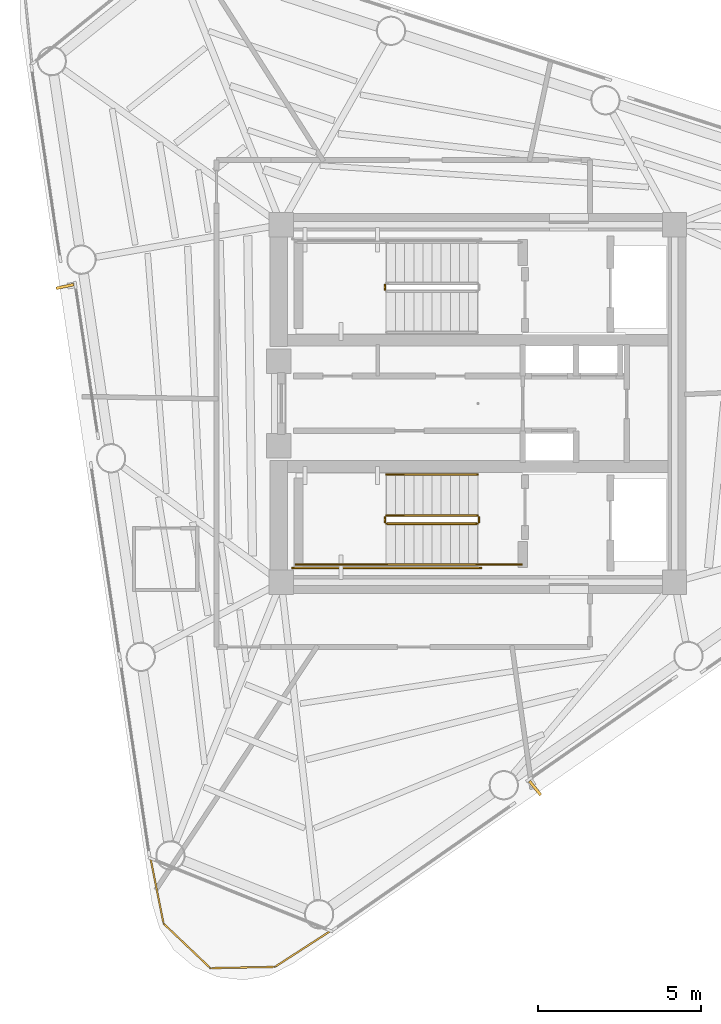
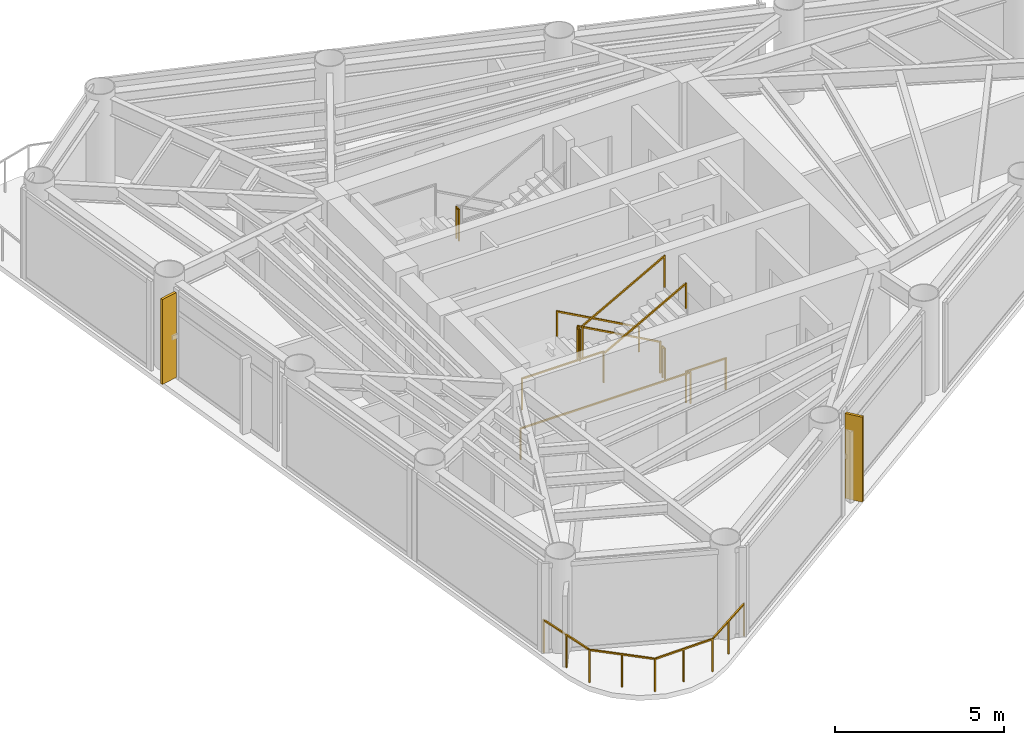
# One storey, part 7 of 9: 11 railings, 2 shading devices.
"""IFC4 building model written with IfcOpenShell, lengths in metres."""

import ifcopenshell
import ifcopenshell.guid

model = None  # the IFC model being written
_history = None  # IfcOwnerHistory: only IFC2X3 demands one
_inside = {}  # id of a spatial element -> (the spatial element, [elements in it])
_under = {}  # id of a project, library or spatial element -> (it, [spatial elements below it])
_declared = {}  # id of a project -> (the project, [libraries it declares])
_typed = {}  # id of a type object -> (the type object, [elements of that type])
_made_of = {}  # id of a material, layer set ... -> (it, [elements and type objects made of it])


def new_model(schema):
    """Start an empty IFC model of exactly this schema.

    Asked for "IFC4X3", IfcOpenShell would pick the latest addendum, in which some entities
    have other attributes; the version numbers below select the first issue.
    IFC2X3 requires an IfcOwnerHistory on every rooted entity: one is made here for all.
    """
    global model, _history
    if schema == "IFC4X3":
        model = ifcopenshell.file(schema_version=(4, 3, 0, 0))
    else:
        model = ifcopenshell.file(schema=schema)
    _inside.clear()
    _under.clear()
    _declared.clear()
    _typed.clear()
    _made_of.clear()
    _history = None
    if model.schema == "IFC2X3":
        org = make("IfcOrganization", Name="unknown")
        user = make(
            "IfcPersonAndOrganization",
            ThePerson=make("IfcPerson", FamilyName="unknown"),
            TheOrganization=org,
        )
        app = make(
            "IfcApplication",
            ApplicationDeveloper=org,
            Version="unknown",
            ApplicationFullName="unknown",
            ApplicationIdentifier="unknown",
        )
        _history = make(
            "IfcOwnerHistory",
            OwningUser=user,
            OwningApplication=app,
            ChangeAction="ADDED",
            CreationDate=0,
        )
    return model


def make(cls, **values):
    """One entity of the class cls with the attributes given. An attribute that is None is left unset."""
    return model.create_entity(
        cls, **{name: value for name, value in values.items() if value is not None}
    )


def rooted(cls, **values):
    """An entity with a GlobalId (a new one), such as an element, a storey or a relation."""
    return make(cls, GlobalId=ifcopenshell.guid.new(), OwnerHistory=_history, **values)


def si_unit(unit_type, name, prefix=None):
    """IfcSIUnit, for example si_unit("LENGTHUNIT", "METRE", prefix="MILLI")."""
    return make("IfcSIUnit", UnitType=unit_type, Prefix=prefix, Name=name)


def assignment(units):
    """IfcUnitAssignment: the units of a project."""
    return None if units is None else make("IfcUnitAssignment", Units=units)


def point(xyz):
    """IfcCartesianPoint."""
    return None if xyz is None else make("IfcCartesianPoint", Coordinates=xyz)


def direction(xyz):
    """IfcDirection."""
    return None if xyz is None else make("IfcDirection", DirectionRatios=xyz)


def frame(location, z_axis=None, x_axis=None):
    """IfcAxis2Placement3D, a coordinate frame: its origin and axes. An axis left out is left unset."""
    return make(
        "IfcAxis2Placement3D",
        Location=point(location),
        Axis=direction(z_axis),
        RefDirection=direction(x_axis),
    )


def frame_2d(location, x_axis=None):
    """IfcAxis2Placement2D, a coordinate frame in the plane: its origin and x axis."""
    return make(
        "IfcAxis2Placement2D", Location=point(location), RefDirection=direction(x_axis)
    )


def origin():
    """The frame at (0, 0, 0) with its axes left unset."""
    return frame((0.0, 0.0, 0.0))


def origin_2d():
    """The frame at (0, 0) in the plane with its x axis left unset."""
    return frame_2d((0.0, 0.0))


def place(relative_to, where):
    """IfcLocalPlacement: puts the frame where relative to a parent placement (None: the world)."""
    return make(
        "IfcLocalPlacement", PlacementRelTo=relative_to, RelativePlacement=where
    )


def context(
    kind, dimensions, precision=None, world=None, true_north=None, identifier=None
):
    """IfcGeometricRepresentationContext, for example the 3D "Model" context."""
    return make(
        "IfcGeometricRepresentationContext",
        ContextIdentifier=identifier,
        ContextType=kind,
        CoordinateSpaceDimension=dimensions,
        Precision=precision,
        WorldCoordinateSystem=world,
        TrueNorth=true_north,
    )


def subcontext(parent, identifier, kind, view, scale=None):
    """IfcGeometricRepresentationSubContext, for example "Body" below "Model"."""
    return make(
        "IfcGeometricRepresentationSubContext",
        ContextIdentifier=identifier,
        ContextType=kind,
        ParentContext=parent,
        TargetScale=scale,
        TargetView=view,
    )


def project(units=None, contexts=None):
    """IfcProject with its units and contexts."""
    return rooted(
        "IfcProject",
        Name="project",
        RepresentationContexts=contexts,
        UnitsInContext=assignment(units),
    )


def spatial(cls, under=None, at=None, **own):
    """A site, building, storey or space (cls), placed at a placement, below another one or the project."""
    s = rooted(cls, ObjectPlacement=at, **own)
    if under is not None:
        _under.setdefault(under.id(), (under, []))[1].append(s)
    return s


def profile(cls, at=None, kind="AREA", **sizes):
    """A parametric profile (cls). Its sizes go by their IFC names, for example OverallWidth=200.0."""
    return make(cls, ProfileType=kind, Position=at, **sizes)


def rectangle(**sizes):
    """IfcRectangleProfileDef."""
    return profile("IfcRectangleProfileDef", **sizes)


def extrude(swept, where, along, depth):
    """IfcExtrudedAreaSolid: the profile swept, set in the frame where, extruded along a direction by depth."""
    return make(
        "IfcExtrudedAreaSolid",
        SweptArea=swept,
        Position=where,
        ExtrudedDirection=direction(along),
        Depth=depth,
    )


def shape(context_of_items, identifier, shape_type, items):
    """IfcShapeRepresentation: the items that make up one representation, for example the "Body"."""
    return make(
        "IfcShapeRepresentation",
        ContextOfItems=context_of_items,
        RepresentationIdentifier=identifier,
        RepresentationType=shape_type,
        Items=items,
    )


def source(mapping_origin, context_of_items, identifier, shape_type, items):
    """IfcRepresentationMap: a shape defined once, which mapped items show again and again."""
    return make(
        "IfcRepresentationMap",
        MappingOrigin=mapping_origin,
        MappedRepresentation=shape(context_of_items, identifier, shape_type, items),
    )


def transform(
    local_origin,
    x_axis=None,
    y_axis=None,
    z_axis=None,
    scale=None,
    scale2=None,
    scale3=None,
    uniform=True,
):
    """IfcCartesianTransformationOperator3D, or its non-uniform kind. x_axis, y_axis, z_axis: its Axis1, 2, 3."""
    if uniform:
        return make(
            "IfcCartesianTransformationOperator3D",
            Axis1=direction(x_axis),
            Axis2=direction(y_axis),
            LocalOrigin=point(local_origin),
            Scale=scale,
            Axis3=direction(z_axis),
        )
    return make(
        "IfcCartesianTransformationOperator3DnonUniform",
        Axis1=direction(x_axis),
        Axis2=direction(y_axis),
        LocalOrigin=point(local_origin),
        Scale=scale,
        Axis3=direction(z_axis),
        Scale2=scale2,
        Scale3=scale3,
    )


def mapped(mapping_source, mapping_target):
    """IfcMappedItem: shows the shape of a source again, moved by a transform."""
    return make(
        "IfcMappedItem", MappingSource=mapping_source, MappingTarget=mapping_target
    )


def material(Name=None, Category=None):
    """IfcMaterial."""
    return make("IfcMaterial", Name=Name, Category=Category)


def material_profile(
    of_material, cross_section, Name=None, Category=None, Priority=None
):
    """IfcMaterialProfile: a cross section and its material."""
    return make(
        "IfcMaterialProfile",
        Name=Name,
        Material=of_material,
        Profile=cross_section,
        Priority=Priority,
        Category=Category,
    )


def profile_set(profiles, Name=None, composite=None):
    """IfcMaterialProfileSet."""
    return make(
        "IfcMaterialProfileSet",
        Name=Name,
        MaterialProfiles=profiles,
        CompositeProfile=composite,
    )


def made_of(thing, what):
    """Note that an element or type object is made of a material, layer set ...; save() writes the relation."""
    if what is not None:
        _made_of.setdefault(what.id(), (what, []))[1].append(thing)
    return thing


def type_object(cls, material=None, **own):
    """A type object (cls), such as IfcWallType, which elements share."""
    return made_of(rooted(cls, **own), material)


def element(
    cls,
    number,
    at=None,
    inside=None,
    cuts=None,
    type_object=None,
    material=None,
    context=None,
    identifier="Body",
    shape_type=None,
    held_by="IfcProductDefinitionShape",
    body=None,
    shapes=None,
    **own,
):
    """One element of the class cls, such as IfcWall. Its Tag is "e" and its number.

    at: its placement. inside: the storey or other place that contains it. cuts: it is an
    opening in that element (IfcRelVoidsElement). A single representation is given by context,
    identifier, shape_type and body (its items); several are given by shapes. held_by: the class
    of the entity that holds the representations. save() writes the other relations.
    """
    e = rooted(cls, Tag="e%d" % number, ObjectPlacement=at, **own)
    if body is not None:
        shapes = [shape(context, identifier, shape_type, body)]
    if shapes is not None:
        e.Representation = make(held_by, Representations=shapes)
    if inside is not None:
        _inside.setdefault(inside.id(), (inside, []))[1].append(e)
    if cuts is not None:
        rooted(
            "IfcRelVoidsElement", RelatingBuildingElement=cuts, RelatedOpeningElement=e
        )
    if type_object is not None:
        _typed.setdefault(type_object.id(), (type_object, []))[1].append(e)
    return made_of(e, material)


def aggregate(whole, parts):
    """IfcRelAggregates: a whole, such as a stair, and the parts it consists of."""
    return rooted("IfcRelAggregates", RelatingObject=whole, RelatedObjects=parts)


def save(model, path):
    """Write the relations noted so far, then the file.

    IfcRelAggregates (storeys below a building ...), IfcRelContainedInSpatialStructure (elements
    in a storey), IfcRelDefinesByType, IfcRelAssociatesMaterial and IfcRelDeclares: one each for
    every whole, place, type object, material and project.
    """
    for whole, parts in _under.values():
        aggregate(whole, parts)
    for where, things in _inside.values():
        rooted(
            "IfcRelContainedInSpatialStructure",
            RelatedElements=things,
            RelatingStructure=where,
        )
    for kind, things in _typed.values():
        rooted("IfcRelDefinesByType", RelatedObjects=things, RelatingType=kind)
    for what, things in _made_of.values():
        rooted("IfcRelAssociatesMaterial", RelatedObjects=things, RelatingMaterial=what)
    for by, libraries in _declared.values():
        rooted("IfcRelDeclares", RelatingContext=by, RelatedDefinitions=libraries)
    model.write(path)


model = new_model("IFC4")

# Units and contexts
model_context = context("Model", 3, precision=1e-05, world=origin(), true_north=direction((0.0, 1.0)))
body_context = subcontext(model_context, "Body", "Model", "MODEL_VIEW")
ifc_project = project(units=[si_unit("LENGTHUNIT", "METRE"), si_unit("AREAUNIT", "SQUARE_METRE"), si_unit("VOLUMEUNIT", "CUBIC_METRE"), si_unit("PLANEANGLEUNIT", "RADIAN"), si_unit("MASSUNIT", "GRAM", prefix="KILO")], contexts=[model_context])

# Site, building, storey
site_placement = place(None, origin())
site = spatial("IfcSite", under=ifc_project, at=site_placement, CompositionType="ELEMENT")
building_placement = place(site_placement, origin())
building = spatial("IfcBuilding", under=site, at=building_placement, Name="Yunling Apex Tower", CompositionType="ELEMENT")
storey_placement = place(building_placement, frame((0.0, 0.0, 281.35009765625)))
storey = spatial("IfcBuildingStorey", under=building, at=storey_placement, Name="L69", CompositionType="ELEMENT", Elevation=281.35009765625)

# Railings
ifc_material_1 = material(Name="Bronze anodised aluminium", Category="aluminium")
railing_type_1 = type_object("IfcRailingType", Name="RL-BAL-1200", PredefinedType="BALUSTRADE", material=ifc_material_1)
railing_1_placement = place(storey_placement, frame((-4.528564453125, -16.22509765625, 0.0)))
element("IfcRailing", 1, at=railing_1_placement, inside=storey, type_object=railing_type_1, Name="RL-CRNSILL-L69-3", PredefinedType="BALUSTRADE", context=body_context, shape_type="SweptSolid", body=[
    extrude(rectangle(XDim=0.0439453125, YDim=0.0439453125, at=origin_2d()), origin(), (0.0, 0.0, 1.0), 1.199951171875),
    extrude(rectangle(XDim=0.0439453125, YDim=0.0439453125, at=origin_2d()), frame((-1.718017578125, -1.109130859375, 0.0)), (0.0, 0.0, 1.0), 1.199951171875),
    extrude(rectangle(XDim=0.050048828125, YDim=0.050048828125, at=origin_2d()), frame((-0.0322265625, -0.020751953125, 1.1748046875), z_axis=(-0.840133449473, -0.542379744345, 0.0), x_axis=(0.542379744345, -0.840133449473, 0.0)), (0.0, 0.0, 1.0), 1.96826171875),
    extrude(rectangle(XDim=0.0439453125, YDim=0.0439453125, at=origin_2d()), frame((-0.85888671875, -0.5546875, 0.0)), (0.0, 0.0, 1.0), 1.14599609375),
    extrude(rectangle(XDim=0.0439453125, YDim=0.0439453125, at=origin_2d()), frame((-3.700439453125, -1.147705078125, 0.0)), (0.0, 0.0, 1.0), 1.199951171875),
    extrude(rectangle(XDim=0.050048828125, YDim=0.050048828125, at=origin_2d()), frame((-1.75634765625, -1.10986328125, 1.1748046875), z_axis=(-0.999810744366, -0.019454445518, 0.0), x_axis=(0.019454445518, -0.999810744366, 0.0)), (0.0, 0.0, 1.0), 1.90625),
    extrude(rectangle(XDim=0.0439453125, YDim=0.0439453125, at=origin_2d()), frame((-2.709228515625, -1.12841796875, 0.0)), (0.0, 0.0, 1.0), 1.14599609375),
    extrude(rectangle(XDim=0.0439453125, YDim=0.0439453125, at=origin_2d()), frame((-5.141845703125, 0.223388671875, 0.0)), (0.0, 0.0, 1.0), 1.199951171875),
    extrude(rectangle(XDim=0.050048828125, YDim=0.050048828125, at=origin_2d()), frame((-3.728271484375, -1.121337890625, 1.1748046875), z_axis=(-0.72455806169, 0.689213765998, 0.0), x_axis=(-0.689213765998, -0.72455806169, 0.0)), (0.0, 0.0, 1.0), 1.91259765625),
    extrude(rectangle(XDim=0.0439453125, YDim=0.0439453125, at=origin_2d()), frame((-4.421142578125, -0.462158203125, 0.0)), (0.0, 0.0, 1.0), 1.14599609375),
    extrude(rectangle(XDim=0.0439453125, YDim=0.0439453125, at=origin_2d()), frame((-5.542236328125, 2.228271484375, 0.0)), (0.0, 0.0, 1.0), 1.199951171875),
    extrude(rectangle(XDim=0.050048828125, YDim=0.050048828125, at=origin_2d()), frame((-5.1494140625, 0.260986328125, 1.1748046875), z_axis=(-0.195840554381, 0.980635751571, 0.0), x_axis=(-0.980635751571, -0.195840554381, 0.0)), (0.0, 0.0, 1.0), 1.9677734375),
    extrude(rectangle(XDim=0.0439453125, YDim=0.0439453125, at=origin_2d()), frame((-5.342041015625, 1.225830078125, 0.0)), (0.0, 0.0, 1.0), 1.14599609375),
])
ifc_material_2 = material(Name="Steel Q355B", Category="steel")
railing_type_2 = type_object("IfcRailingType", Name="RL-GRD-1150", PredefinedType="GUARDRAIL", material=ifc_material_2)
railing_2_placement = place(storey_placement, frame((-2.860107421875, 3.64990234375, 1.699951171875)))
element("IfcRailing", 2, at=railing_2_placement, inside=storey, type_object=railing_type_2, Name="L69 ST-1 stair guard 2", PredefinedType="GUARDRAIL", context=body_context, shape_type="SweptSolid", body=[
    extrude(rectangle(XDim=0.0439453125, YDim=0.0439453125, at=origin_2d()), origin(), (0.0, 0.0, 1.0), 1.14990234375),
    extrude(rectangle(XDim=0.0439453125, YDim=0.0439453125, at=origin_2d()), frame((0.0, -0.14990234375, 0.0)), (0.0, 0.0, 1.0), 1.14990234375),
    extrude(rectangle(XDim=0.050048828125, YDim=0.050048828125, at=origin_2d()), frame((0.0, -0.038330078125, 1.125), z_axis=(0.0, -1.0, 0.0), x_axis=(1.0, 0.0, 0.0)), (0.0, 0.0, 1.0), 0.0732421875),
])
railing_3_placement = place(storey_placement, frame((-0.010009765625, -3.449951171875, 0.154541015625)))
element("IfcRailing", 3, at=railing_3_placement, inside=storey, type_object=railing_type_2, Name="L69 ST-2 stair guard 1", PredefinedType="GUARDRAIL", context=body_context, shape_type="SweptSolid", body=[
    extrude(rectangle(XDim=0.0439453125, YDim=0.0439453125, at=origin_2d()), origin(), (0.0, 0.0, 1.0), 1.14990234375),
    extrude(rectangle(XDim=0.0439453125, YDim=0.0439453125, at=origin_2d()), frame((-2.800048828125, 0.0, 1.54541015625)), (0.0, 0.0, 1.0), 1.14990234375),
    extrude(rectangle(XDim=0.050048828125, YDim=0.050048828125, at=origin_2d()), frame((-0.033447265625, 0.0, 1.143310546875), z_axis=(-0.875504190374, 0.0, 0.483210526207), x_axis=(0.0, -1.0, 0.0)), (0.0, 0.0, 1.0), 3.12158203125),
])
railing_4_placement = place(storey_placement, frame((-2.860107421875, -3.5, 1.699951171875)))
element("IfcRailing", 4, at=railing_4_placement, inside=storey, type_object=railing_type_2, Name="L69 ST-2 stair guard 2", PredefinedType="GUARDRAIL", context=body_context, shape_type="SweptSolid", body=[
    extrude(rectangle(XDim=0.0439453125, YDim=0.0439453125, at=origin_2d()), origin(), (0.0, 0.0, 1.0), 1.14990234375),
    extrude(rectangle(XDim=0.0439453125, YDim=0.0439453125, at=origin_2d()), frame((0.0, -0.14990234375, 0.0)), (0.0, 0.0, 1.0), 1.14990234375),
    extrude(rectangle(XDim=0.050048828125, YDim=0.050048828125, at=origin_2d()), frame((0.0, -0.038330078125, 1.125), z_axis=(0.0, -1.0, 0.0), x_axis=(1.0, 0.0, 0.0)), (0.0, 0.0, 1.0), 0.0732421875),
])
railing_5_placement = place(storey_placement, frame((-2.81005859375, -4.9599609375, 1.699951171875)))
element("IfcRailing", 5, at=railing_5_placement, inside=storey, type_object=railing_type_2, Name="L69 ST-2 stair guard 3", PredefinedType="GUARDRAIL", context=body_context, shape_type="SweptSolid", body=[
    extrude(rectangle(XDim=0.0439453125, YDim=0.0439453125, at=origin_2d()), origin(), (0.0, 0.0, 1.0), 1.14990234375),
    extrude(rectangle(XDim=0.0439453125, YDim=0.0439453125, at=origin_2d()), frame((-2.7900390625, 0.0, 0.0)), (0.0, 0.0, 1.0), 1.14990234375),
    extrude(rectangle(XDim=0.050048828125, YDim=0.050048828125, at=origin_2d()), frame((-0.038330078125, 0.0, 1.125), z_axis=(-1.0, 0.0, 0.0), x_axis=(0.0, -1.0, 0.0)), (0.0, 0.0, 1.0), 2.71337890625),
])
railing_6_placement = place(storey_placement, frame((-2.81005859375, -3.699951171875, 1.8544921875)))
element("IfcRailing", 6, at=railing_6_placement, inside=storey, type_object=railing_type_2, Name="L69 ST-2 stair guard 4", PredefinedType="GUARDRAIL", context=body_context, shape_type="SweptSolid", body=[
    extrude(rectangle(XDim=0.0439453125, YDim=0.0439453125, at=origin_2d()), origin(), (0.0, 0.0, 1.0), 1.14990234375),
    extrude(rectangle(XDim=0.0439453125, YDim=0.0439453125, at=origin_2d()), frame((2.800048828125, 0.0, 1.54541015625)), (0.0, 0.0, 1.0), 1.14990234375),
    extrude(rectangle(XDim=0.050048828125, YDim=0.050048828125, at=origin_2d()), frame((0.033447265625, 0.0, 1.143310546875), z_axis=(0.875504190374, 0.0, 0.483210526207), x_axis=(0.0, 1.0, 0.0)), (0.0, 0.0, 1.0), 3.12158203125),
])
railing_7_placement = place(storey_placement, frame((0.0400390625, -3.5, 0.0)))
element("IfcRailing", 7, at=railing_7_placement, inside=storey, type_object=railing_type_2, Name="L69 ST-2 stair guard 5", PredefinedType="GUARDRAIL", context=body_context, shape_type="SweptSolid", body=[
    extrude(rectangle(XDim=0.0439453125, YDim=0.0439453125, at=origin_2d()), origin(), (0.0, 0.0, 1.0), 1.14990234375),
    extrude(rectangle(XDim=0.0439453125, YDim=0.0439453125, at=origin_2d()), frame((0.0, -0.14990234375, 0.0)), (0.0, 0.0, 1.0), 1.14990234375),
    extrude(rectangle(XDim=0.050048828125, YDim=0.050048828125, at=origin_2d()), frame((0.0, -0.038330078125, 1.125), z_axis=(0.0, -1.0, 0.0), x_axis=(1.0, 0.0, 0.0)), (0.0, 0.0, 1.0), 0.0732421875),
])
railing_8_placement = place(storey_placement, frame((1.35009765625, -4.9599609375, 0.0)))
element("IfcRailing", 8, at=railing_8_placement, inside=storey, type_object=railing_type_2, Name="L69 ST-2 stair guard 6", PredefinedType="GUARDRAIL", context=body_context, shape_type="SweptSolid", body=[
    extrude(rectangle(XDim=0.0439453125, YDim=0.0439453125, at=origin_2d()), origin(), (0.0, 0.0, 1.0), 1.14990234375),
    extrude(rectangle(XDim=0.0439453125, YDim=0.0439453125, at=origin_2d()), frame((-1.360107421875, 0.0, 0.0)), (0.0, 0.0, 1.0), 1.14990234375),
    extrude(rectangle(XDim=0.050048828125, YDim=0.050048828125, at=origin_2d()), frame((-0.038330078125, 0.0, 1.125), z_axis=(-1.0, 0.0, 0.0), x_axis=(0.0, -1.0, 0.0)), (0.0, 0.0, 1.0), 1.283447265625),
])
railing_9_placement = place(storey_placement, frame((0.090087890625, -5.06005859375, 0.0)))
element("IfcRailing", 9, at=railing_9_placement, inside=storey, type_object=railing_type_2, Name="L69 ST-2 stair guard 7", PredefinedType="GUARDRAIL", context=body_context, shape_type="SweptSolid", body=[
    extrude(rectangle(XDim=0.0439453125, YDim=0.0439453125, at=origin_2d()), origin(), (0.0, 0.0, 1.0), 1.14990234375),
    extrude(rectangle(XDim=0.0439453125, YDim=0.0439453125, at=origin_2d()), frame((-5.7900390625, 0.0, 0.0)), (0.0, 0.0, 1.0), 1.14990234375),
    extrude(rectangle(XDim=0.050048828125, YDim=0.050048828125, at=origin_2d()), frame((-0.038330078125, 0.0, 1.125), z_axis=(-1.0, 0.0, 0.0), x_axis=(0.0, -1.0, 0.0)), (0.0, 0.0, 1.0), 5.71337890625),
])
ifc_material_3 = material(Name="Silver anodised aluminium", Category="aluminium")
railing_type_3 = type_object("IfcRailingType", Name="RL-HND-900", PredefinedType="HANDRAIL", material=ifc_material_3)
railing_10_placement = place(storey_placement, frame((-0.010009765625, -2.18994140625, 0.154541015625)))
element("IfcRailing", 10, at=railing_10_placement, inside=storey, type_object=railing_type_3, Name="L69 ST-2 stair handrail 1", PredefinedType="HANDRAIL", context=body_context, shape_type="SweptSolid", body=[
    extrude(rectangle(XDim=0.0439453125, YDim=0.0439453125, at=origin_2d()), origin(), (0.0, 0.0, 1.0), 0.919921875),
    extrude(rectangle(XDim=0.0439453125, YDim=0.0439453125, at=origin_2d()), frame((-2.800048828125, 0.0, 1.54541015625)), (0.0, 0.0, 1.0), 0.919921875),
    extrude(rectangle(XDim=0.050048828125, YDim=0.050048828125, at=origin_2d()), frame((-0.033447265625, 0.0, 0.913330078125), z_axis=(-0.875504190374, 0.0, 0.483210526207), x_axis=(0.0, -1.0, 0.0)), (0.0, 0.0, 1.0), 3.12158203125),
])
railing_11_placement = place(storey_placement, frame((-2.81005859375, -4.9599609375, 1.8544921875)))
element("IfcRailing", 11, at=railing_11_placement, inside=storey, type_object=railing_type_3, Name="L69 ST-2 stair handrail 2", PredefinedType="HANDRAIL", context=body_context, shape_type="SweptSolid", body=[
    extrude(rectangle(XDim=0.0439453125, YDim=0.0439453125, at=origin_2d()), origin(), (0.0, 0.0, 1.0), 0.919921875),
    extrude(rectangle(XDim=0.0439453125, YDim=0.0439453125, at=origin_2d()), frame((2.800048828125, 0.0, 1.54541015625)), (0.0, 0.0, 1.0), 0.919921875),
    extrude(rectangle(XDim=0.050048828125, YDim=0.050048828125, at=origin_2d()), frame((0.033447265625, 0.0, 0.913330078125), z_axis=(0.875504190374, 0.0, 0.483210526207), x_axis=(0.0, 1.0, 0.0)), (0.0, 0.0, 1.0), 3.12158203125),
])

# Shading devices
ifc_material_profile = material_profile(ifc_material_1, rectangle(XDim=0.0849609375, YDim=0.550048828125, at=origin_2d()))
ifc_profile_set = profile_set([ifc_material_profile], Name="Bronze anodised aluminium")
shading_device_type = type_object("IfcShadingDeviceType", Name="FN-BRZ-3", PredefinedType="USERDEFINED", material=ifc_profile_set)
shared_shape = source(origin(), body_context, "Body", "SweptSolid", [
    extrude(rectangle(XDim=0.0849609375, YDim=0.550048828125, at=origin_2d()), origin(), (0.0, 0.0, 1.0), 3.06005859375),
])
for number, where, z_axis, x_axis, name in (
    (12, (1.76171875, -11.8330078125, 0.059814453125), (0.0, 0.0, 1.0), (0.780321270022, 0.625378857614, 0.0), "CW-L69-F1-B2-FIN-01"),
    (13, (-12.705322265625, 3.598876953125, 0.059814453125), (0.0, 0.0, 1.0), (0.212177672156, -0.977231106463, 0.0), "CW-L69-F3-B2-FIN-01"),
):
    element("IfcShadingDevice", number, at=place(storey_placement, frame(where, z_axis=z_axis, x_axis=x_axis)), inside=storey, type_object=shading_device_type, Name=name, ObjectType="FIN", PredefinedType="USERDEFINED", context=body_context, shape_type="MappedRepresentation", body=[
        mapped(shared_shape, transform((0.0, 0.0, 0.0), scale=1.0)),
    ])

save(model, "model.ifc")
